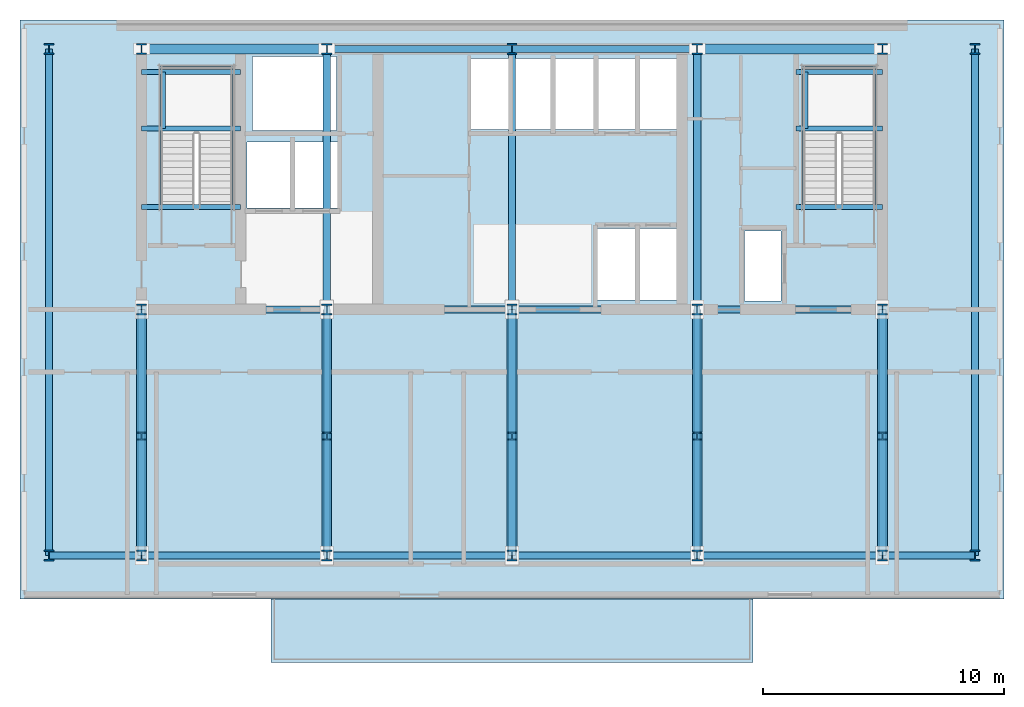
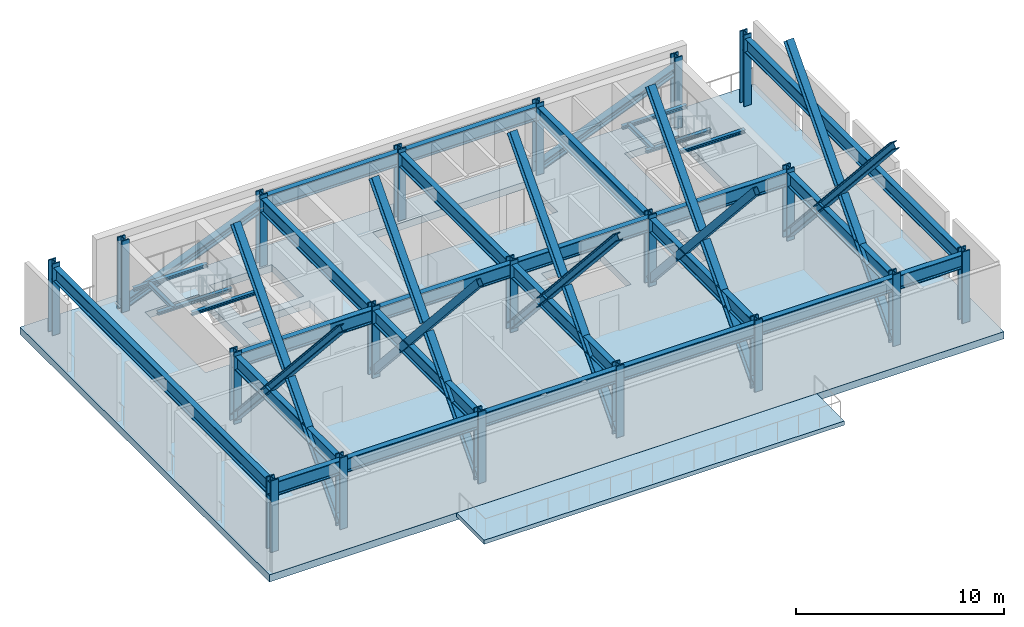
# One storey, part 1 of 8: 30 beams, 19 columns, 17 members, 2 slabs.
"""IFC4 building model written with IfcOpenShell, lengths in metres."""

import ifcopenshell
import ifcopenshell.guid

model = None  # the IFC model being written
_history = None  # IfcOwnerHistory: only IFC2X3 demands one
_inside = {}  # id of a spatial element -> (the spatial element, [elements in it])
_under = {}  # id of a project, library or spatial element -> (it, [spatial elements below it])
_declared = {}  # id of a project -> (the project, [libraries it declares])
_typed = {}  # id of a type object -> (the type object, [elements of that type])
_made_of = {}  # id of a material, layer set ... -> (it, [elements and type objects made of it])


def new_model(schema):
    """Start an empty IFC model of exactly this schema.

    Asked for "IFC4X3", IfcOpenShell would pick the latest addendum, in which some entities
    have other attributes; the version numbers below select the first issue.
    IFC2X3 requires an IfcOwnerHistory on every rooted entity: one is made here for all.
    """
    global model, _history
    if schema == "IFC4X3":
        model = ifcopenshell.file(schema_version=(4, 3, 0, 0))
    else:
        model = ifcopenshell.file(schema=schema)
    _inside.clear()
    _under.clear()
    _declared.clear()
    _typed.clear()
    _made_of.clear()
    _history = None
    if model.schema == "IFC2X3":
        org = make("IfcOrganization", Name="unknown")
        user = make(
            "IfcPersonAndOrganization",
            ThePerson=make("IfcPerson", FamilyName="unknown"),
            TheOrganization=org,
        )
        app = make(
            "IfcApplication",
            ApplicationDeveloper=org,
            Version="unknown",
            ApplicationFullName="unknown",
            ApplicationIdentifier="unknown",
        )
        _history = make(
            "IfcOwnerHistory",
            OwningUser=user,
            OwningApplication=app,
            ChangeAction="ADDED",
            CreationDate=0,
        )
    return model


def make(cls, **values):
    """One entity of the class cls with the attributes given. An attribute that is None is left unset."""
    return model.create_entity(
        cls, **{name: value for name, value in values.items() if value is not None}
    )


def rooted(cls, **values):
    """An entity with a GlobalId (a new one), such as an element, a storey or a relation."""
    return make(cls, GlobalId=ifcopenshell.guid.new(), OwnerHistory=_history, **values)


def si_unit(unit_type, name, prefix=None):
    """IfcSIUnit, for example si_unit("LENGTHUNIT", "METRE", prefix="MILLI")."""
    return make("IfcSIUnit", UnitType=unit_type, Prefix=prefix, Name=name)


def assignment(units):
    """IfcUnitAssignment: the units of a project."""
    return None if units is None else make("IfcUnitAssignment", Units=units)


def point(xyz):
    """IfcCartesianPoint."""
    return None if xyz is None else make("IfcCartesianPoint", Coordinates=xyz)


def direction(xyz):
    """IfcDirection."""
    return None if xyz is None else make("IfcDirection", DirectionRatios=xyz)


def frame(location, z_axis=None, x_axis=None):
    """IfcAxis2Placement3D, a coordinate frame: its origin and axes. An axis left out is left unset."""
    return make(
        "IfcAxis2Placement3D",
        Location=point(location),
        Axis=direction(z_axis),
        RefDirection=direction(x_axis),
    )


def frame_2d(location, x_axis=None):
    """IfcAxis2Placement2D, a coordinate frame in the plane: its origin and x axis."""
    return make(
        "IfcAxis2Placement2D", Location=point(location), RefDirection=direction(x_axis)
    )


def origin():
    """The frame at (0, 0, 0) with its axes left unset."""
    return frame((0.0, 0.0, 0.0))


def origin_2d():
    """The frame at (0, 0) in the plane with its x axis left unset."""
    return frame_2d((0.0, 0.0))


def place(relative_to, where):
    """IfcLocalPlacement: puts the frame where relative to a parent placement (None: the world)."""
    return make(
        "IfcLocalPlacement", PlacementRelTo=relative_to, RelativePlacement=where
    )


def context(
    kind, dimensions, precision=None, world=None, true_north=None, identifier=None
):
    """IfcGeometricRepresentationContext, for example the 3D "Model" context."""
    return make(
        "IfcGeometricRepresentationContext",
        ContextIdentifier=identifier,
        ContextType=kind,
        CoordinateSpaceDimension=dimensions,
        Precision=precision,
        WorldCoordinateSystem=world,
        TrueNorth=true_north,
    )


def subcontext(parent, identifier, kind, view, scale=None):
    """IfcGeometricRepresentationSubContext, for example "Body" below "Model"."""
    return make(
        "IfcGeometricRepresentationSubContext",
        ContextIdentifier=identifier,
        ContextType=kind,
        ParentContext=parent,
        TargetScale=scale,
        TargetView=view,
    )


def project(units=None, contexts=None):
    """IfcProject with its units and contexts."""
    return rooted(
        "IfcProject",
        Name="project",
        RepresentationContexts=contexts,
        UnitsInContext=assignment(units),
    )


def spatial(cls, under=None, at=None, **own):
    """A site, building, storey or space (cls), placed at a placement, below another one or the project."""
    s = rooted(cls, ObjectPlacement=at, **own)
    if under is not None:
        _under.setdefault(under.id(), (under, []))[1].append(s)
    return s


def polyline(points):
    """IfcPolyline through the points."""
    return make("IfcPolyline", Points=[point(p) for p in points])


def profile(cls, at=None, kind="AREA", **sizes):
    """A parametric profile (cls). Its sizes go by their IFC names, for example OverallWidth=200.0."""
    return make(cls, ProfileType=kind, Position=at, **sizes)


def hollow_rectangle(**sizes):
    """IfcRectangleHollowProfileDef."""
    return profile("IfcRectangleHollowProfileDef", **sizes)


def i_section(**sizes):
    """IfcIShapeProfileDef."""
    return profile("IfcIShapeProfileDef", **sizes)


def outline(outer, holes=None, kind="AREA"):
    """IfcArbitraryClosedProfileDef: a profile drawn as a closed curve; with holes, ...WithVoids."""
    if holes is None:
        return make("IfcArbitraryClosedProfileDef", ProfileType=kind, OuterCurve=outer)
    return make(
        "IfcArbitraryProfileDefWithVoids",
        ProfileType=kind,
        OuterCurve=outer,
        InnerCurves=holes,
    )


def extrude(swept, where, along, depth):
    """IfcExtrudedAreaSolid: the profile swept, set in the frame where, extruded along a direction by depth."""
    return make(
        "IfcExtrudedAreaSolid",
        SweptArea=swept,
        Position=where,
        ExtrudedDirection=direction(along),
        Depth=depth,
    )


def shape(context_of_items, identifier, shape_type, items):
    """IfcShapeRepresentation: the items that make up one representation, for example the "Body"."""
    return make(
        "IfcShapeRepresentation",
        ContextOfItems=context_of_items,
        RepresentationIdentifier=identifier,
        RepresentationType=shape_type,
        Items=items,
    )


def material(Name=None, Category=None):
    """IfcMaterial."""
    return make("IfcMaterial", Name=Name, Category=Category)


def layer(
    of_material, thickness, ventilated=None, Name=None, Category=None, Priority=None
):
    """IfcMaterialLayer: one layer of a wall or slab, of a material (None: an air gap)."""
    return make(
        "IfcMaterialLayer",
        Material=of_material,
        LayerThickness=thickness,
        IsVentilated=ventilated,
        Name=Name,
        Category=Category,
        Priority=Priority,
    )


def layer_set(layers, Name=None):
    """IfcMaterialLayerSet."""
    return make("IfcMaterialLayerSet", MaterialLayers=layers, LayerSetName=Name)


def material_profile(
    of_material, cross_section, Name=None, Category=None, Priority=None
):
    """IfcMaterialProfile: a cross section and its material."""
    return make(
        "IfcMaterialProfile",
        Name=Name,
        Material=of_material,
        Profile=cross_section,
        Priority=Priority,
        Category=Category,
    )


def profile_set(profiles, Name=None, composite=None):
    """IfcMaterialProfileSet."""
    return make(
        "IfcMaterialProfileSet",
        Name=Name,
        MaterialProfiles=profiles,
        CompositeProfile=composite,
    )


def made_of(thing, what):
    """Note that an element or type object is made of a material, layer set ...; save() writes the relation."""
    if what is not None:
        _made_of.setdefault(what.id(), (what, []))[1].append(thing)
    return thing


def type_object(cls, material=None, **own):
    """A type object (cls), such as IfcWallType, which elements share."""
    return made_of(rooted(cls, **own), material)


def element(
    cls,
    number,
    at=None,
    inside=None,
    cuts=None,
    type_object=None,
    material=None,
    context=None,
    identifier="Body",
    shape_type=None,
    held_by="IfcProductDefinitionShape",
    body=None,
    shapes=None,
    **own,
):
    """One element of the class cls, such as IfcWall. Its Tag is "e" and its number.

    at: its placement. inside: the storey or other place that contains it. cuts: it is an
    opening in that element (IfcRelVoidsElement). A single representation is given by context,
    identifier, shape_type and body (its items); several are given by shapes. held_by: the class
    of the entity that holds the representations. save() writes the other relations.
    """
    e = rooted(cls, Tag="e%d" % number, ObjectPlacement=at, **own)
    if body is not None:
        shapes = [shape(context, identifier, shape_type, body)]
    if shapes is not None:
        e.Representation = make(held_by, Representations=shapes)
    if inside is not None:
        _inside.setdefault(inside.id(), (inside, []))[1].append(e)
    if cuts is not None:
        rooted(
            "IfcRelVoidsElement", RelatingBuildingElement=cuts, RelatedOpeningElement=e
        )
    if type_object is not None:
        _typed.setdefault(type_object.id(), (type_object, []))[1].append(e)
    return made_of(e, material)


def aggregate(whole, parts):
    """IfcRelAggregates: a whole, such as a stair, and the parts it consists of."""
    return rooted("IfcRelAggregates", RelatingObject=whole, RelatedObjects=parts)


def save(model, path):
    """Write the relations noted so far, then the file.

    IfcRelAggregates (storeys below a building ...), IfcRelContainedInSpatialStructure (elements
    in a storey), IfcRelDefinesByType, IfcRelAssociatesMaterial and IfcRelDeclares: one each for
    every whole, place, type object, material and project.
    """
    for whole, parts in _under.values():
        aggregate(whole, parts)
    for where, things in _inside.values():
        rooted(
            "IfcRelContainedInSpatialStructure",
            RelatedElements=things,
            RelatingStructure=where,
        )
    for kind, things in _typed.values():
        rooted("IfcRelDefinesByType", RelatedObjects=things, RelatingType=kind)
    for what, things in _made_of.values():
        rooted("IfcRelAssociatesMaterial", RelatedObjects=things, RelatingMaterial=what)
    for by, libraries in _declared.values():
        rooted("IfcRelDeclares", RelatingContext=by, RelatedDefinitions=libraries)
    model.write(path)


model = new_model("IFC4")

# Units and contexts
model_context = context("Model", 3, precision=1e-05, world=origin(), true_north=direction((0.0, 1.0)))
body_context = subcontext(model_context, "Body", "Model", "MODEL_VIEW")
ifc_project = project(units=[si_unit("LENGTHUNIT", "METRE"), si_unit("AREAUNIT", "SQUARE_METRE"), si_unit("VOLUMEUNIT", "CUBIC_METRE"), si_unit("PLANEANGLEUNIT", "RADIAN"), si_unit("MASSUNIT", "GRAM", prefix="KILO")], contexts=[model_context])

# Site, building, storey
site_placement = place(None, origin())
site = spatial("IfcSite", under=ifc_project, at=site_placement, CompositionType="ELEMENT")
building_placement = place(site_placement, origin())
building = spatial("IfcBuilding", under=site, at=building_placement, Name="Yelkora Congress Tower", CompositionType="ELEMENT")
storey_placement = place(building_placement, frame((0.0, 0.0, 191.89990234375)))
storey = spatial("IfcBuildingStorey", under=building, at=storey_placement, Name="L53", CompositionType="ELEMENT", Elevation=191.89990234375)

# Columns
ifc_material_1 = material(Name="Steel S460M", Category="steel")
ifc_material_profile_1 = material_profile(ifc_material_1, i_section(OverallWidth=0.41796875, OverallDepth=0.455078125, WebThickness=0.0419921875, FlangeThickness=0.068115234375, FilletRadius=0.014892578125, at=origin_2d()), Name="HD 400x551")
ifc_profile_set_1 = profile_set([ifc_material_profile_1], Name="Steel S460M")
column_type = type_object("IfcColumnType", Name="COL-HD-551", PredefinedType="COLUMN", material=ifc_profile_set_1)
for number, where, z_axis, x_axis, name in (
    (1, (23.0400390625, 35.39990234375, 0.0), (0.0, 0.0, 1.0), (1.0, 0.0, 0.0), "L53 Mega Column MC-S1"),
    (2, (23.0400390625, 46.199951171875, 0.0), (0.0, 0.0, 1.0), (1.0, 0.0, 0.0), "L53 Mega Column MC-N1"),
    (3, (23.0400390625, 25.199951171875, 0.0), (0.0, 0.0, 1.0), (1.0, 0.0, 0.0), "L53 Mega Column MC-D1"),
    (4, (30.719970703125, 35.39990234375, 0.0), (0.0, 0.0, 1.0), (1.0, 0.0, 0.0), "L53 Mega Column MC-S2"),
    (5, (30.719970703125, 46.199951171875, 0.0), (0.0, 0.0, 1.0), (1.0, 0.0, 0.0), "L53 Mega Column MC-N2"),
    (6, (30.719970703125, 25.199951171875, 0.0), (0.0, 0.0, 1.0), (1.0, 0.0, 0.0), "L53 Mega Column MC-D2"),
    (7, (38.39990234375, 35.39990234375, 0.0), (0.0, 0.0, 1.0), (1.0, 0.0, 0.0), "L53 Mega Column MC-S3"),
    (8, (38.39990234375, 46.199951171875, 0.0), (0.0, 0.0, 1.0), (1.0, 0.0, 0.0), "L53 Mega Column MC-N3"),
    (9, (38.39990234375, 25.199951171875, 0.0), (0.0, 0.0, 1.0), (1.0, 0.0, 0.0), "L53 Mega Column MC-D3"),
    (10, (46.080078125, 35.39990234375, 0.0), (0.0, 0.0, 1.0), (1.0, 0.0, 0.0), "L53 Mega Column MC-S4"),
    (11, (46.080078125, 46.199951171875, 0.0), (0.0, 0.0, 1.0), (1.0, 0.0, 0.0), "L53 Mega Column MC-N4"),
    (12, (46.080078125, 25.199951171875, 0.0), (0.0, 0.0, 1.0), (1.0, 0.0, 0.0), "L53 Mega Column MC-D4"),
    (13, (53.760009765625, 35.39990234375, 0.0), (0.0, 0.0, 1.0), (1.0, 0.0, 0.0), "L53 Mega Column MC-S5"),
    (14, (53.760009765625, 46.199951171875, 0.0), (0.0, 0.0, 1.0), (1.0, 0.0, 0.0), "L53 Mega Column MC-N5"),
    (15, (53.760009765625, 25.199951171875, 0.0), (0.0, 0.0, 1.0), (1.0, 0.0, 0.0), "L53 Mega Column MC-D5"),
    (16, (19.199951171875, 25.199951171875, 0.0), (0.0, 0.0, 1.0), (1.0, 0.0, 0.0), "L53 Mega Column MC-F1"),
    (17, (57.60009765625, 25.199951171875, 0.0), (0.0, 0.0, 1.0), (1.0, 0.0, 0.0), "L53 Mega Column MC-F2"),
    (18, (19.199951171875, 46.199951171875, 0.0), (0.0, 0.0, 1.0), (1.0, 0.0, 0.0), "L53 Mega Column MC-F3"),
    (19, (57.60009765625, 46.199951171875, 0.0), (0.0, 0.0, 1.0), (1.0, 0.0, 0.0), "L53 Mega Column MC-F4"),
):
    element("IfcColumn", number, at=place(storey_placement, frame(where, z_axis=z_axis, x_axis=x_axis)), inside=storey, type_object=column_type, Name=name, PredefinedType="COLUMN", context=body_context, shape_type="SweptSolid", body=[
        extrude(i_section(OverallWidth=0.41796875, OverallDepth=0.455078125, WebThickness=0.0419921875, FlangeThickness=0.068115234375, FilletRadius=0.014892578125, at=origin_2d()), origin(), (0.0, 0.0, 1.0), 4.2001953125),
    ])

# Beams
ifc_material_2 = material(Name="Steel S355J2", Category="steel")
ifc_material_profile_2 = material_profile(ifc_material_2, i_section(OverallWidth=0.199951171875, OverallDepth=0.18994140625, WebThickness=0.006591796875, FlangeThickness=0.010009765625, FilletRadius=0.01806640625, at=origin_2d()), Name="HEA 200")
ifc_profile_set_2 = profile_set([ifc_material_profile_2], Name="Steel S355J2")
beam_type_1 = type_object("IfcBeamType", Name="BM-LAND-HEA200", PredefinedType="BEAM", material=ifc_profile_set_2)
for number, where, z_axis, x_axis, name in (
    (20, (23.0400390625, 42.89990234375, 1.78466796875), (1.0, 0.0, 0.0), (0.0, 1.0, 0.0), "ST-01 L53 Landing Header Beam 1S"),
    (21, (23.0400390625, 45.25, 1.78466796875), (1.0, 0.0, 0.0), (0.0, 1.0, 0.0), "ST-01 L53 Landing Header Beam 1N"),
):
    element("IfcBeam", number, at=place(storey_placement, frame(where, z_axis=z_axis, x_axis=x_axis)), inside=storey, type_object=beam_type_1, Name=name, PredefinedType="BEAM", context=body_context, shape_type="SweptSolid", body=[
        extrude(i_section(OverallWidth=0.199951171875, OverallDepth=0.18994140625, WebThickness=0.006591796875, FlangeThickness=0.010009765625, FilletRadius=0.01806640625, at=origin_2d()), origin(), (0.0, 0.0, 1.0), 4.10986328125),
    ])
beam_1_placement = place(storey_placement, frame((23.93994140625, 42.89990234375, 1.78466796875), z_axis=(0.0, 1.0, 0.0), x_axis=(-1.0, 0.0, 0.0)))
element("IfcBeam", 22, at=beam_1_placement, inside=storey, type_object=beam_type_1, Name="ST-01 L53 Landing Trimmer Beam 1M", PredefinedType="BEAM", context=body_context, shape_type="SweptSolid", body=[
    extrude(i_section(OverallWidth=0.199951171875, OverallDepth=0.18994140625, WebThickness=0.006591796875, FlangeThickness=0.010009765625, FilletRadius=0.01806640625, at=origin_2d()), origin(), (0.0, 0.0, 1.0), 2.35009765625),
])
beam_2_placement = place(storey_placement, frame((23.0400390625, 39.639892578125, 3.740966796875), z_axis=(1.0, 0.0, 0.0), x_axis=(0.0, 1.0, 0.0)))
element("IfcBeam", 23, at=beam_2_placement, inside=storey, type_object=beam_type_1, Name="ST-01 L53 Floor Arrival Stringer Header Beam", PredefinedType="BEAM", context=body_context, shape_type="SweptSolid", body=[
    extrude(i_section(OverallWidth=0.199951171875, OverallDepth=0.18994140625, WebThickness=0.006591796875, FlangeThickness=0.010009765625, FilletRadius=0.01806640625, at=origin_2d()), origin(), (0.0, 0.0, 1.0), 4.10986328125),
])
for number, where, z_axis, x_axis, name in (
    (24, (50.179931640625, 42.89990234375, 1.78466796875), (1.0, 0.0, 0.0), (0.0, 1.0, 0.0), "ST-02 L53 Landing Header Beam 1S"),
    (25, (50.179931640625, 45.25, 1.78466796875), (1.0, 0.0, 0.0), (0.0, 1.0, 0.0), "ST-02 L53 Landing Header Beam 1N"),
):
    element("IfcBeam", number, at=place(storey_placement, frame(where, z_axis=z_axis, x_axis=x_axis)), inside=storey, type_object=beam_type_1, Name=name, PredefinedType="BEAM", context=body_context, shape_type="SweptSolid", body=[
        extrude(i_section(OverallWidth=0.199951171875, OverallDepth=0.18994140625, WebThickness=0.006591796875, FlangeThickness=0.010009765625, FilletRadius=0.01806640625, at=origin_2d()), origin(), (0.0, 0.0, 1.0), 3.580078125),
    ])
beam_3_placement = place(storey_placement, frame((50.580078125, 42.89990234375, 1.78466796875), z_axis=(0.0, 1.0, 0.0), x_axis=(-1.0, 0.0, 0.0)))
element("IfcBeam", 26, at=beam_3_placement, inside=storey, type_object=beam_type_1, Name="ST-02 L53 Landing Trimmer Beam 1M", PredefinedType="BEAM", context=body_context, shape_type="SweptSolid", body=[
    extrude(i_section(OverallWidth=0.199951171875, OverallDepth=0.18994140625, WebThickness=0.006591796875, FlangeThickness=0.010009765625, FilletRadius=0.01806640625, at=origin_2d()), origin(), (0.0, 0.0, 1.0), 2.35009765625),
])
beam_4_placement = place(storey_placement, frame((50.179931640625, 39.639892578125, 3.740966796875), z_axis=(1.0, 0.0, 0.0), x_axis=(0.0, 1.0, 0.0)))
element("IfcBeam", 27, at=beam_4_placement, inside=storey, type_object=beam_type_1, Name="ST-02 L53 Floor Arrival Stringer Header Beam", PredefinedType="BEAM", context=body_context, shape_type="SweptSolid", body=[
    extrude(i_section(OverallWidth=0.199951171875, OverallDepth=0.18994140625, WebThickness=0.006591796875, FlangeThickness=0.010009765625, FilletRadius=0.01806640625, at=origin_2d()), origin(), (0.0, 0.0, 1.0), 3.580078125),
])
ifc_material_profile_3 = material_profile(ifc_material_1, i_section(OverallWidth=0.302978515625, OverallDepth=0.81396484375, WebThickness=0.02099609375, FlangeThickness=0.0400390625, FilletRadius=0.030029296875, at=origin_2d()), Name="HEM 800")
ifc_profile_set_3 = profile_set([ifc_material_profile_3], Name="Steel S460M")
beam_type_2 = type_object("IfcBeamType", Name="BM-XFER-HEM800", PredefinedType="BEAM", material=ifc_profile_set_3)
beam_5_placement = place(storey_placement, frame((19.199951171875, 25.199951171875, 3.572998046875), z_axis=(1.0, 0.0, 0.0), x_axis=(0.0, 1.0, 0.0)))
element("IfcBeam", 28, at=beam_5_placement, inside=storey, type_object=beam_type_2, Name="L53 Spine Grid D Girder 1", PredefinedType="BEAM", context=body_context, shape_type="SweptSolid", body=[
    extrude(i_section(OverallWidth=0.302978515625, OverallDepth=0.81396484375, WebThickness=0.02099609375, FlangeThickness=0.0400390625, FilletRadius=0.030029296875, at=origin_2d()), origin(), (0.0, 0.0, 1.0), 3.840087890625),
])
for number, where, z_axis, x_axis, name in (
    (29, (23.0400390625, 25.199951171875, 3.572998046875), (1.0, 0.0, 0.0), (0.0, 1.0, 0.0), "L53 Spine Grid D Girder 2"),
    (30, (30.719970703125, 25.199951171875, 3.572998046875), (1.0, 0.0, 0.0), (0.0, 1.0, 0.0), "L53 Spine Grid D Girder 3"),
):
    element("IfcBeam", number, at=place(storey_placement, frame(where, z_axis=z_axis, x_axis=x_axis)), inside=storey, type_object=beam_type_2, Name=name, PredefinedType="BEAM", context=body_context, shape_type="SweptSolid", body=[
        extrude(i_section(OverallWidth=0.302978515625, OverallDepth=0.81396484375, WebThickness=0.02099609375, FlangeThickness=0.0400390625, FilletRadius=0.030029296875, at=origin_2d()), origin(), (0.0, 0.0, 1.0), 7.679931640625),
    ])
beam_6_placement = place(storey_placement, frame((38.39990234375, 25.199951171875, 3.572998046875), z_axis=(1.0, 0.0, 0.0), x_axis=(0.0, 1.0, 0.0)))
element("IfcBeam", 31, at=beam_6_placement, inside=storey, type_object=beam_type_2, Name="L53 Spine Grid D Girder 4", PredefinedType="BEAM", context=body_context, shape_type="SweptSolid", body=[
    extrude(i_section(OverallWidth=0.302978515625, OverallDepth=0.81396484375, WebThickness=0.02099609375, FlangeThickness=0.0400390625, FilletRadius=0.030029296875, at=origin_2d()), origin(), (0.0, 0.0, 1.0), 7.68017578125),
])
beam_7_placement = place(storey_placement, frame((46.080078125, 25.199951171875, 3.572998046875), z_axis=(1.0, 0.0, 0.0), x_axis=(0.0, 1.0, 0.0)))
element("IfcBeam", 32, at=beam_7_placement, inside=storey, type_object=beam_type_2, Name="L53 Spine Grid D Girder 5", PredefinedType="BEAM", context=body_context, shape_type="SweptSolid", body=[
    extrude(i_section(OverallWidth=0.302978515625, OverallDepth=0.81396484375, WebThickness=0.02099609375, FlangeThickness=0.0400390625, FilletRadius=0.030029296875, at=origin_2d()), origin(), (0.0, 0.0, 1.0), 7.679931640625),
])
beam_8_placement = place(storey_placement, frame((53.760009765625, 25.199951171875, 3.572998046875), z_axis=(1.0, 0.0, 0.0), x_axis=(0.0, 1.0, 0.0)))
element("IfcBeam", 33, at=beam_8_placement, inside=storey, type_object=beam_type_2, Name="L53 Spine Grid D Girder 6", PredefinedType="BEAM", context=body_context, shape_type="SweptSolid", body=[
    extrude(i_section(OverallWidth=0.302978515625, OverallDepth=0.81396484375, WebThickness=0.02099609375, FlangeThickness=0.0400390625, FilletRadius=0.030029296875, at=origin_2d()), origin(), (0.0, 0.0, 1.0), 3.840087890625),
])
beam_9_placement = place(storey_placement, frame((30.719970703125, 46.199951171875, 3.572998046875), z_axis=(1.0, 0.0, 0.0), x_axis=(0.0, 1.0, 0.0)))
element("IfcBeam", 34, at=beam_9_placement, inside=storey, type_object=beam_type_2, Name="L53 Core North Girder 3", PredefinedType="BEAM", context=body_context, shape_type="SweptSolid", body=[
    extrude(i_section(OverallWidth=0.302978515625, OverallDepth=0.81396484375, WebThickness=0.02099609375, FlangeThickness=0.0400390625, FilletRadius=0.030029296875, at=origin_2d()), origin(), (0.0, 0.0, 1.0), 7.679931640625),
])
beam_10_placement = place(storey_placement, frame((38.39990234375, 46.199951171875, 3.572998046875), z_axis=(1.0, 0.0, 0.0), x_axis=(0.0, 1.0, 0.0)))
element("IfcBeam", 35, at=beam_10_placement, inside=storey, type_object=beam_type_2, Name="L53 Core North Girder 4", PredefinedType="BEAM", context=body_context, shape_type="SweptSolid", body=[
    extrude(i_section(OverallWidth=0.302978515625, OverallDepth=0.81396484375, WebThickness=0.02099609375, FlangeThickness=0.0400390625, FilletRadius=0.030029296875, at=origin_2d()), origin(), (0.0, 0.0, 1.0), 7.68017578125),
])
for number, where, z_axis, x_axis, name in (
    (36, (23.0400390625, 35.39990234375, 3.572998046875), (1.0, 0.0, 0.0), (0.0, 1.0, 0.0), "L53 Core South Girder 1"),
    (37, (30.719970703125, 35.39990234375, 3.572998046875), (1.0, 0.0, 0.0), (0.0, 1.0, 0.0), "L53 Core South Girder 2"),
):
    element("IfcBeam", number, at=place(storey_placement, frame(where, z_axis=z_axis, x_axis=x_axis)), inside=storey, type_object=beam_type_2, Name=name, PredefinedType="BEAM", context=body_context, shape_type="SweptSolid", body=[
        extrude(i_section(OverallWidth=0.302978515625, OverallDepth=0.81396484375, WebThickness=0.02099609375, FlangeThickness=0.0400390625, FilletRadius=0.030029296875, at=origin_2d()), origin(), (0.0, 0.0, 1.0), 7.679931640625),
    ])
beam_11_placement = place(storey_placement, frame((38.39990234375, 35.39990234375, 3.572998046875), z_axis=(1.0, 0.0, 0.0), x_axis=(0.0, 1.0, 0.0)))
element("IfcBeam", 38, at=beam_11_placement, inside=storey, type_object=beam_type_2, Name="L53 Core South Girder 3", PredefinedType="BEAM", context=body_context, shape_type="SweptSolid", body=[
    extrude(i_section(OverallWidth=0.302978515625, OverallDepth=0.81396484375, WebThickness=0.02099609375, FlangeThickness=0.0400390625, FilletRadius=0.030029296875, at=origin_2d()), origin(), (0.0, 0.0, 1.0), 7.68017578125),
])
beam_12_placement = place(storey_placement, frame((46.080078125, 35.39990234375, 3.572998046875), z_axis=(1.0, 0.0, 0.0), x_axis=(0.0, 1.0, 0.0)))
element("IfcBeam", 39, at=beam_12_placement, inside=storey, type_object=beam_type_2, Name="L53 Core South Girder 4", PredefinedType="BEAM", context=body_context, shape_type="SweptSolid", body=[
    extrude(i_section(OverallWidth=0.302978515625, OverallDepth=0.81396484375, WebThickness=0.02099609375, FlangeThickness=0.0400390625, FilletRadius=0.030029296875, at=origin_2d()), origin(), (0.0, 0.0, 1.0), 7.679931640625),
])
for number, where, z_axis, x_axis, name in (
    (40, (23.0400390625, 25.199951171875, 3.572998046875), (0.0, 1.0, 0.0), (-1.0, 0.0, 0.0), "L53 Core Tie Girder MC-D1"),
    (41, (30.719970703125, 25.199951171875, 3.572998046875), (0.0, 1.0, 0.0), (-1.0, 0.0, 0.0), "L53 Core Tie Girder MC-D2"),
):
    element("IfcBeam", number, at=place(storey_placement, frame(where, z_axis=z_axis, x_axis=x_axis)), inside=storey, type_object=beam_type_2, Name=name, PredefinedType="BEAM", context=body_context, shape_type="SweptSolid", body=[
        extrude(i_section(OverallWidth=0.302978515625, OverallDepth=0.81396484375, WebThickness=0.02099609375, FlangeThickness=0.0400390625, FilletRadius=0.030029296875, at=origin_2d()), origin(), (0.0, 0.0, 1.0), 10.199951171875),
    ])
beam_13_placement = place(storey_placement, frame((30.719970703125, 35.39990234375, 3.572998046875), z_axis=(0.0, 1.0, 0.0), x_axis=(-1.0, 0.0, 0.0)))
element("IfcBeam", 42, at=beam_13_placement, inside=storey, type_object=beam_type_2, Name="L53 Core Tie Girder MC-S2", PredefinedType="BEAM", context=body_context, shape_type="SweptSolid", body=[
    extrude(i_section(OverallWidth=0.302978515625, OverallDepth=0.81396484375, WebThickness=0.02099609375, FlangeThickness=0.0400390625, FilletRadius=0.030029296875, at=origin_2d()), origin(), (0.0, 0.0, 1.0), 10.800048828125),
])
beam_14_placement = place(storey_placement, frame((38.39990234375, 25.199951171875, 3.572998046875), z_axis=(0.0, 1.0, 0.0), x_axis=(-1.0, 0.0, 0.0)))
element("IfcBeam", 43, at=beam_14_placement, inside=storey, type_object=beam_type_2, Name="L53 Core Tie Girder MC-D3", PredefinedType="BEAM", context=body_context, shape_type="SweptSolid", body=[
    extrude(i_section(OverallWidth=0.302978515625, OverallDepth=0.81396484375, WebThickness=0.02099609375, FlangeThickness=0.0400390625, FilletRadius=0.030029296875, at=origin_2d()), origin(), (0.0, 0.0, 1.0), 10.199951171875),
])
beam_15_placement = place(storey_placement, frame((38.39990234375, 35.39990234375, 3.572998046875), z_axis=(0.0, 1.0, 0.0), x_axis=(-1.0, 0.0, 0.0)))
element("IfcBeam", 44, at=beam_15_placement, inside=storey, type_object=beam_type_2, Name="L53 Core Tie Girder MC-S3", PredefinedType="BEAM", context=body_context, shape_type="SweptSolid", body=[
    extrude(i_section(OverallWidth=0.302978515625, OverallDepth=0.81396484375, WebThickness=0.02099609375, FlangeThickness=0.0400390625, FilletRadius=0.030029296875, at=origin_2d()), origin(), (0.0, 0.0, 1.0), 10.800048828125),
])
beam_16_placement = place(storey_placement, frame((46.080078125, 25.199951171875, 3.572998046875), z_axis=(0.0, 1.0, 0.0), x_axis=(-1.0, 0.0, 0.0)))
element("IfcBeam", 45, at=beam_16_placement, inside=storey, type_object=beam_type_2, Name="L53 Core Tie Girder MC-D4", PredefinedType="BEAM", context=body_context, shape_type="SweptSolid", body=[
    extrude(i_section(OverallWidth=0.302978515625, OverallDepth=0.81396484375, WebThickness=0.02099609375, FlangeThickness=0.0400390625, FilletRadius=0.030029296875, at=origin_2d()), origin(), (0.0, 0.0, 1.0), 10.199951171875),
])
beam_17_placement = place(storey_placement, frame((46.080078125, 35.39990234375, 3.572998046875), z_axis=(0.0, 1.0, 0.0), x_axis=(-1.0, 0.0, 0.0)))
element("IfcBeam", 46, at=beam_17_placement, inside=storey, type_object=beam_type_2, Name="L53 Core Tie Girder MC-S4", PredefinedType="BEAM", context=body_context, shape_type="SweptSolid", body=[
    extrude(i_section(OverallWidth=0.302978515625, OverallDepth=0.81396484375, WebThickness=0.02099609375, FlangeThickness=0.0400390625, FilletRadius=0.030029296875, at=origin_2d()), origin(), (0.0, 0.0, 1.0), 10.800048828125),
])
beam_18_placement = place(storey_placement, frame((53.760009765625, 25.199951171875, 3.572998046875), z_axis=(0.0, 1.0, 0.0), x_axis=(-1.0, 0.0, 0.0)))
element("IfcBeam", 47, at=beam_18_placement, inside=storey, type_object=beam_type_2, Name="L53 Core Tie Girder MC-D5", PredefinedType="BEAM", context=body_context, shape_type="SweptSolid", body=[
    extrude(i_section(OverallWidth=0.302978515625, OverallDepth=0.81396484375, WebThickness=0.02099609375, FlangeThickness=0.0400390625, FilletRadius=0.030029296875, at=origin_2d()), origin(), (0.0, 0.0, 1.0), 10.199951171875),
])
for number, where, z_axis, x_axis, name in (
    (48, (19.199951171875, 25.199951171875, 3.572998046875), (0.0, 1.0, 0.0), (-1.0, 0.0, 0.0), "L53 Neck Flank Girder MC-F1"),
    (49, (57.60009765625, 25.199951171875, 3.572998046875), (0.0, 1.0, 0.0), (-1.0, 0.0, 0.0), "L53 Neck Flank Girder MC-F2"),
):
    element("IfcBeam", number, at=place(storey_placement, frame(where, z_axis=z_axis, x_axis=x_axis)), inside=storey, type_object=beam_type_2, Name=name, PredefinedType="BEAM", context=body_context, shape_type="SweptSolid", body=[
        extrude(i_section(OverallWidth=0.302978515625, OverallDepth=0.81396484375, WebThickness=0.02099609375, FlangeThickness=0.0400390625, FilletRadius=0.030029296875, at=origin_2d()), origin(), (0.0, 0.0, 1.0), 21.0),
    ])

# Members
ifc_material_profile_4 = material_profile(ifc_material_1, i_section(OverallWidth=0.40087890625, OverallDepth=0.39892578125, WebThickness=0.02490234375, FlangeThickness=0.03955078125, FilletRadius=0.014892578125, at=origin_2d()), Name="HD 400x314")
ifc_profile_set_4 = profile_set([ifc_material_profile_4], Name="Steel S460M")
member_type_1 = type_object("IfcMemberType", Name="MEM-BRACE-HD314", PredefinedType="BRACE", material=ifc_profile_set_4)
member_1_placement = place(storey_placement, frame((23.0400390625, 35.39990234375, 0.25), z_axis=(0.0, -0.667439035936, 0.74466444343), x_axis=(1.0, 0.0, 0.0)))
element("IfcMember", 50, at=member_1_placement, inside=storey, type_object=member_type_1, Name="N3 Outrigger Continuous Diagonal 1A", PredefinedType="BRACE", context=body_context, shape_type="SweptSolid", body=[
    extrude(i_section(OverallWidth=0.40087890625, OverallDepth=0.39892578125, WebThickness=0.02490234375, FlangeThickness=0.03955078125, FilletRadius=0.014892578125, at=origin_2d()), origin(), (0.0, 0.0, 1.0), 15.2822265625),
])
member_2_placement = place(storey_placement, frame((23.0400390625, 35.39990234375, 11.630126953125), z_axis=(0.0, -0.667441593301, -0.744662151269), x_axis=(1.0, 0.0, 0.0)))
element("IfcMember", 51, at=member_2_placement, inside=storey, type_object=member_type_1, Name="N3 Outrigger Split Diagonal 1B1", PredefinedType="BRACE", context=body_context, shape_type="SweptSolid", body=[
    extrude(i_section(OverallWidth=0.40087890625, OverallDepth=0.39892578125, WebThickness=0.02490234375, FlangeThickness=0.03955078125, FilletRadius=0.014892578125, at=origin_2d()), origin(), (0.0, 0.0, 1.0), 7.4013671875),
])
member_3_placement = place(storey_placement, frame((23.0400390625, 30.139892578125, 5.76171875), z_axis=(0.0, -0.667425198819, -0.744676845337), x_axis=(1.0, 0.0, 0.0)))
element("IfcMember", 52, at=member_3_placement, inside=storey, type_object=member_type_1, Name="N3 Outrigger Split Diagonal 1B2", PredefinedType="BRACE", context=body_context, shape_type="SweptSolid", body=[
    extrude(i_section(OverallWidth=0.40087890625, OverallDepth=0.39892578125, WebThickness=0.02490234375, FlangeThickness=0.03955078125, FilletRadius=0.014892578125, at=origin_2d()), origin(), (0.0, 0.0, 1.0), 7.401611328125),
])
member_4_placement = place(storey_placement, frame((30.719970703125, 35.39990234375, 11.630126953125), z_axis=(0.0, -0.667441593301, -0.744662151269), x_axis=(1.0, 0.0, 0.0)))
element("IfcMember", 53, at=member_4_placement, inside=storey, type_object=member_type_1, Name="N3 Outrigger Split Diagonal 2B1", PredefinedType="BRACE", context=body_context, shape_type="SweptSolid", body=[
    extrude(i_section(OverallWidth=0.40087890625, OverallDepth=0.39892578125, WebThickness=0.02490234375, FlangeThickness=0.03955078125, FilletRadius=0.014892578125, at=origin_2d()), origin(), (0.0, 0.0, 1.0), 7.4013671875),
])
member_5_placement = place(storey_placement, frame((30.719970703125, 30.139892578125, 5.76171875), z_axis=(0.0, -0.667425198819, -0.744676845337), x_axis=(1.0, 0.0, 0.0)))
element("IfcMember", 54, at=member_5_placement, inside=storey, type_object=member_type_1, Name="N3 Outrigger Split Diagonal 2B2", PredefinedType="BRACE", context=body_context, shape_type="SweptSolid", body=[
    extrude(i_section(OverallWidth=0.40087890625, OverallDepth=0.39892578125, WebThickness=0.02490234375, FlangeThickness=0.03955078125, FilletRadius=0.014892578125, at=origin_2d()), origin(), (0.0, 0.0, 1.0), 7.401611328125),
])
member_6_placement = place(storey_placement, frame((38.39990234375, 35.39990234375, 0.25), z_axis=(0.0, -0.667439035936, 0.74466444343), x_axis=(1.0, 0.0, 0.0)))
element("IfcMember", 55, at=member_6_placement, inside=storey, type_object=member_type_1, Name="N3 Outrigger Continuous Diagonal 3A", PredefinedType="BRACE", context=body_context, shape_type="SweptSolid", body=[
    extrude(i_section(OverallWidth=0.40087890625, OverallDepth=0.39892578125, WebThickness=0.02490234375, FlangeThickness=0.03955078125, FilletRadius=0.014892578125, at=origin_2d()), origin(), (0.0, 0.0, 1.0), 15.2822265625),
])
member_7_placement = place(storey_placement, frame((38.39990234375, 35.39990234375, 11.630126953125), z_axis=(0.0, -0.667441593301, -0.744662151269), x_axis=(1.0, 0.0, 0.0)))
element("IfcMember", 56, at=member_7_placement, inside=storey, type_object=member_type_1, Name="N3 Outrigger Split Diagonal 3B1", PredefinedType="BRACE", context=body_context, shape_type="SweptSolid", body=[
    extrude(i_section(OverallWidth=0.40087890625, OverallDepth=0.39892578125, WebThickness=0.02490234375, FlangeThickness=0.03955078125, FilletRadius=0.014892578125, at=origin_2d()), origin(), (0.0, 0.0, 1.0), 7.4013671875),
])
member_8_placement = place(storey_placement, frame((38.39990234375, 30.139892578125, 5.76171875), z_axis=(0.0, -0.667425198819, -0.744676845337), x_axis=(1.0, 0.0, 0.0)))
element("IfcMember", 57, at=member_8_placement, inside=storey, type_object=member_type_1, Name="N3 Outrigger Split Diagonal 3B2", PredefinedType="BRACE", context=body_context, shape_type="SweptSolid", body=[
    extrude(i_section(OverallWidth=0.40087890625, OverallDepth=0.39892578125, WebThickness=0.02490234375, FlangeThickness=0.03955078125, FilletRadius=0.014892578125, at=origin_2d()), origin(), (0.0, 0.0, 1.0), 7.401611328125),
])
member_9_placement = place(storey_placement, frame((46.080078125, 35.39990234375, 11.630126953125), z_axis=(0.0, -0.667441593301, -0.744662151269), x_axis=(1.0, 0.0, 0.0)))
element("IfcMember", 58, at=member_9_placement, inside=storey, type_object=member_type_1, Name="N3 Outrigger Split Diagonal 4B1", PredefinedType="BRACE", context=body_context, shape_type="SweptSolid", body=[
    extrude(i_section(OverallWidth=0.40087890625, OverallDepth=0.39892578125, WebThickness=0.02490234375, FlangeThickness=0.03955078125, FilletRadius=0.014892578125, at=origin_2d()), origin(), (0.0, 0.0, 1.0), 7.4013671875),
])
member_10_placement = place(storey_placement, frame((46.080078125, 30.139892578125, 5.76171875), z_axis=(0.0, -0.667425198819, -0.744676845337), x_axis=(1.0, 0.0, 0.0)))
element("IfcMember", 59, at=member_10_placement, inside=storey, type_object=member_type_1, Name="N3 Outrigger Split Diagonal 4B2", PredefinedType="BRACE", context=body_context, shape_type="SweptSolid", body=[
    extrude(i_section(OverallWidth=0.40087890625, OverallDepth=0.39892578125, WebThickness=0.02490234375, FlangeThickness=0.03955078125, FilletRadius=0.014892578125, at=origin_2d()), origin(), (0.0, 0.0, 1.0), 7.401611328125),
])
member_11_placement = place(storey_placement, frame((53.760009765625, 35.39990234375, 0.25), z_axis=(0.0, -0.667439035936, 0.74466444343), x_axis=(1.0, 0.0, 0.0)))
element("IfcMember", 60, at=member_11_placement, inside=storey, type_object=member_type_1, Name="N3 Outrigger Continuous Diagonal 5A", PredefinedType="BRACE", context=body_context, shape_type="SweptSolid", body=[
    extrude(i_section(OverallWidth=0.40087890625, OverallDepth=0.39892578125, WebThickness=0.02490234375, FlangeThickness=0.03955078125, FilletRadius=0.014892578125, at=origin_2d()), origin(), (0.0, 0.0, 1.0), 15.2822265625),
])
member_12_placement = place(storey_placement, frame((53.760009765625, 35.39990234375, 11.630126953125), z_axis=(0.0, -0.667441593301, -0.744662151269), x_axis=(1.0, 0.0, 0.0)))
element("IfcMember", 61, at=member_12_placement, inside=storey, type_object=member_type_1, Name="N3 Outrigger Split Diagonal 5B1", PredefinedType="BRACE", context=body_context, shape_type="SweptSolid", body=[
    extrude(i_section(OverallWidth=0.40087890625, OverallDepth=0.39892578125, WebThickness=0.02490234375, FlangeThickness=0.03955078125, FilletRadius=0.014892578125, at=origin_2d()), origin(), (0.0, 0.0, 1.0), 7.4013671875),
])
member_13_placement = place(storey_placement, frame((53.760009765625, 30.139892578125, 5.76171875), z_axis=(0.0, -0.667425198819, -0.744676845337), x_axis=(1.0, 0.0, 0.0)))
element("IfcMember", 62, at=member_13_placement, inside=storey, type_object=member_type_1, Name="N3 Outrigger Split Diagonal 5B2", PredefinedType="BRACE", context=body_context, shape_type="SweptSolid", body=[
    extrude(i_section(OverallWidth=0.40087890625, OverallDepth=0.39892578125, WebThickness=0.02490234375, FlangeThickness=0.03955078125, FilletRadius=0.014892578125, at=origin_2d()), origin(), (0.0, 0.0, 1.0), 7.401611328125),
])
ifc_material_profile_5 = material_profile(ifc_material_1, i_section(OverallWidth=0.412109375, OverallDepth=0.43505859375, WebThickness=0.035888671875, FlangeThickness=0.05810546875, FilletRadius=0.014892578125, at=origin_2d()), Name="HD 400x463")
ifc_profile_set_5 = profile_set([ifc_material_profile_5], Name="Steel S460M")
member_type_2 = type_object("IfcMemberType", Name="MEM-STRUT-HD463", PredefinedType="STRUT", material=ifc_profile_set_5)
for number, where, z_axis, x_axis, name in (
    (63, (23.0400390625, 46.199951171875, 0.35009765625), (0.928138525584, 0.0, 0.37223497596), (0.0, 1.0, 0.0), "N3 Core Outrigger Tie Strut W"),
    (64, (46.080078125, 46.199951171875, 0.35009765625), (0.928138525584, 0.0, 0.37223497596), (0.0, 1.0, 0.0), "N3 Core Outrigger Tie Strut E"),
):
    element("IfcMember", number, at=place(storey_placement, frame(where, z_axis=z_axis, x_axis=x_axis)), inside=storey, type_object=member_type_2, Name=name, PredefinedType="STRUT", context=body_context, shape_type="SweptSolid", body=[
        extrude(i_section(OverallWidth=0.412109375, OverallDepth=0.43505859375, WebThickness=0.035888671875, FlangeThickness=0.05810546875, FilletRadius=0.014892578125, at=origin_2d()), origin(), (0.0, 0.0, 1.0), 8.274658203125),
    ])
ifc_material_profile_6 = material_profile(ifc_material_2, hollow_rectangle(XDim=0.25, YDim=0.39990234375, WallThickness=0.01611328125, at=origin_2d()), Name="RHS 400x250x16")
ifc_profile_set_6 = profile_set([ifc_material_profile_6], Name="Steel S355J2")
member_type_3 = type_object("IfcMemberType", Name="MEM-STRUT-RHS400", PredefinedType="STRUT", material=ifc_profile_set_6)
for number, where, z_axis, x_axis, name in (
    (65, (30.719970703125, 35.39990234375, 0.25), (0.0, -0.667439035936, 0.74466444343), (1.0, 0.0, 0.0), "N3 Outrigger Continuous Diagonal 2A"),
    (66, (46.080078125, 35.39990234375, 0.25), (0.0, -0.667439035936, 0.74466444343), (1.0, 0.0, 0.0), "N3 Outrigger Continuous Diagonal 4A"),
):
    element("IfcMember", number, at=place(storey_placement, frame(where, z_axis=z_axis, x_axis=x_axis)), inside=storey, type_object=member_type_3, Name=name, PredefinedType="STRUT", context=body_context, shape_type="SweptSolid", body=[
        extrude(hollow_rectangle(XDim=0.25, YDim=0.39990234375, WallThickness=0.01611328125, at=origin_2d()), origin(), (0.0, 0.0, 1.0), 15.2822265625),
    ])

# Slabs
ifc_material_3 = material(Name="Concrete C40/50", Category="concrete")
ifc_layer_1 = layer(ifc_material_3, 0.239990234375)
ifc_layer_set_1 = layer_set([ifc_layer_1], Name="Concrete C40/50")
slab_type_1 = type_object("IfcSlabType", Name="SLAB-TER-240", PredefinedType="FLOOR", material=ifc_layer_set_1)
slab_1_placement = place(storey_placement, frame((0.0, 0.0, -0.239990234375)))
element("IfcSlab", 67, at=slab_1_placement, inside=storey, type_object=slab_type_1, Name="L53 Planted Sky Garden Terrace Slab", PredefinedType="FLOOR", context=body_context, shape_type="SweptSolid", body=[
    extrude(outline(polyline([(28.39990234375, 20.75), (28.39990234375, 23.39990234375), (48.39990234375, 23.39990234375), (48.39990234375, 20.75), (28.39990234375, 20.75)])), origin(), (0.0, 0.0, 1.0), 0.239990234375),
])
ifc_material_4 = material(Name="Concrete C60/75", Category="concrete")
ifc_layer_2 = layer(ifc_material_4, 0.419921875)
ifc_layer_set_2 = layer_set([ifc_layer_2], Name="Concrete C60/75")
slab_type_2 = type_object("IfcSlabType", Name="SLAB-XFER-420", PredefinedType="FLOOR", material=ifc_layer_set_2)
slab_2_placement = place(storey_placement, frame((0.0, 0.0, -0.419921875)))
element("IfcSlab", 68, at=slab_2_placement, inside=storey, type_object=slab_type_2, Name="L53 Structural Floor Slab", PredefinedType="FLOOR", context=body_context, shape_type="SweptSolid", body=[
    extrude(outline(polyline([(18.0, 23.39990234375), (58.800048828125, 23.39990234375), (58.800048828125, 47.39990234375), (18.0, 47.39990234375), (18.0, 23.39990234375)]), holes=[polyline([(23.820068359375, 39.6298828125), (26.820068359375, 39.6298828125), (26.820068359375, 45.469970703125), (23.820068359375, 45.469970703125), (23.820068359375, 39.6298828125)]), polyline([(50.4599609375, 39.6298828125), (53.4599609375, 39.6298828125), (53.4599609375, 45.469970703125), (50.4599609375, 45.469970703125), (50.4599609375, 39.6298828125)]), polyline([(48.050048828125, 35.75), (49.550048828125, 35.75), (49.550048828125, 38.64990234375), (48.050048828125, 38.64990234375), (48.050048828125, 35.75)]), polyline([(36.64990234375, 42.85009765625), (45.25, 42.85009765625), (45.25, 45.800048828125), (36.64990234375, 45.800048828125), (36.64990234375, 42.85009765625)]), polyline([(41.949951171875, 35.800048828125), (45.25, 35.800048828125), (45.25, 38.75), (41.949951171875, 38.75), (41.949951171875, 35.800048828125)]), polyline([(27.419921875, 39.60009765625), (31.179931640625, 39.60009765625), (31.179931640625, 42.35009765625), (27.419921875, 42.35009765625), (27.419921875, 39.60009765625)]), polyline([(27.64990234375, 42.820068359375), (31.1201171875, 42.820068359375), (31.1201171875, 45.8798828125), (27.64990234375, 45.8798828125), (27.64990234375, 42.820068359375)])]), origin(), (0.0, 0.0, 1.0), 0.419921875),
])

save(model, "model.ifc")
